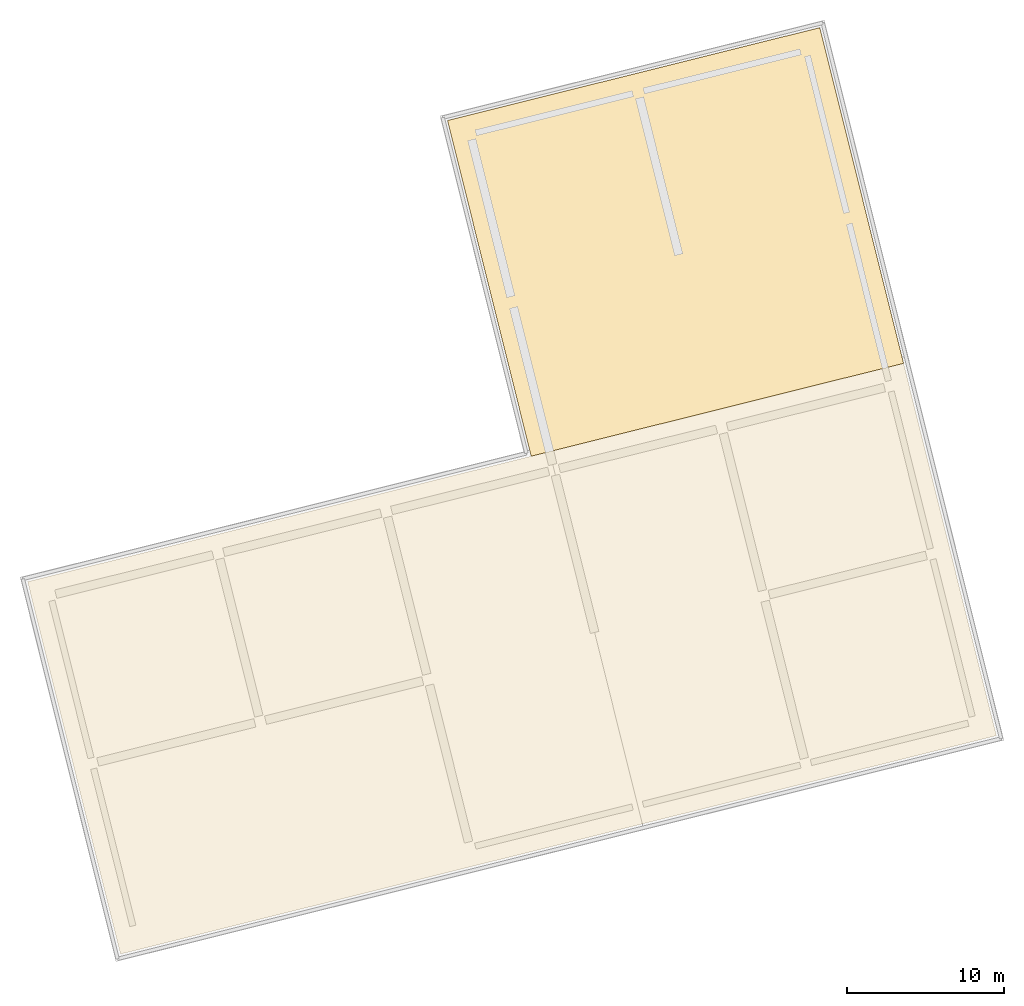
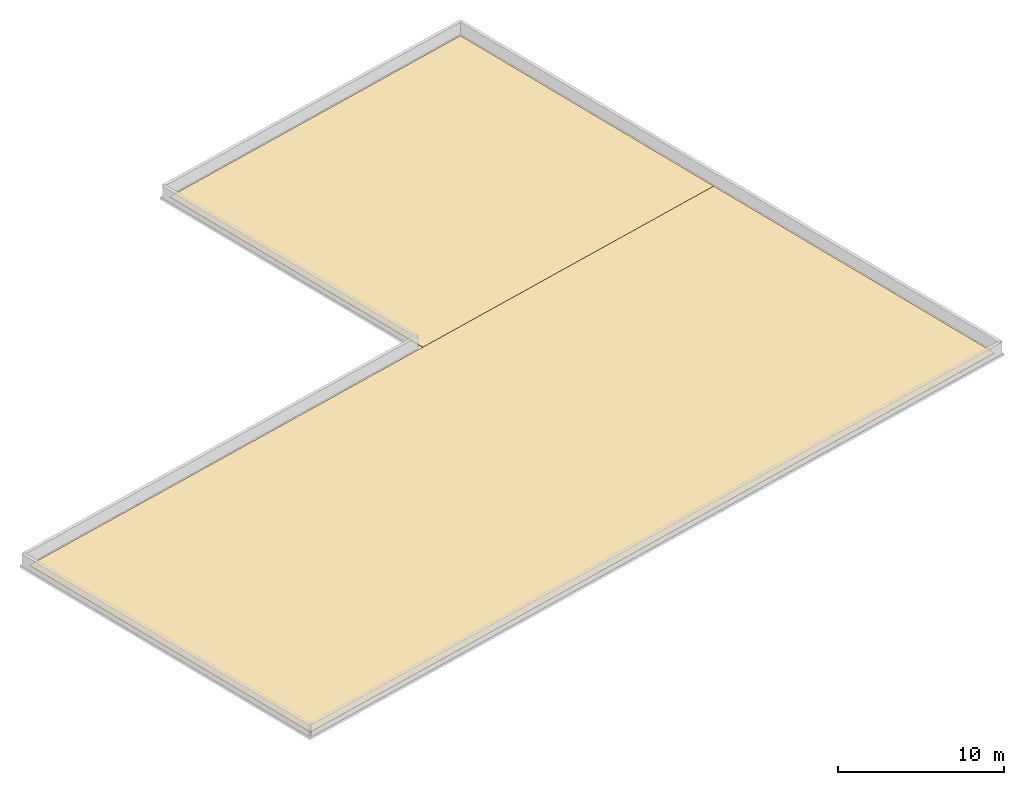
# One storey, part 2 of 2: 2 coverings.
"""IFC4 building model written with IfcOpenShell, lengths in metres."""

import ifcopenshell
import ifcopenshell.guid

model = None  # the IFC model being written
_history = None  # IfcOwnerHistory: only IFC2X3 demands one
_inside = {}  # id of a spatial element -> (the spatial element, [elements in it])
_under = {}  # id of a project, library or spatial element -> (it, [spatial elements below it])
_declared = {}  # id of a project -> (the project, [libraries it declares])
_typed = {}  # id of a type object -> (the type object, [elements of that type])
_made_of = {}  # id of a material, layer set ... -> (it, [elements and type objects made of it])


def new_model(schema):
    """Start an empty IFC model of exactly this schema.

    Asked for "IFC4X3", IfcOpenShell would pick the latest addendum, in which some entities
    have other attributes; the version numbers below select the first issue.
    IFC2X3 requires an IfcOwnerHistory on every rooted entity: one is made here for all.
    """
    global model, _history
    if schema == "IFC4X3":
        model = ifcopenshell.file(schema_version=(4, 3, 0, 0))
    else:
        model = ifcopenshell.file(schema=schema)
    _inside.clear()
    _under.clear()
    _declared.clear()
    _typed.clear()
    _made_of.clear()
    _history = None
    if model.schema == "IFC2X3":
        org = make("IfcOrganization", Name="unknown")
        user = make(
            "IfcPersonAndOrganization",
            ThePerson=make("IfcPerson", FamilyName="unknown"),
            TheOrganization=org,
        )
        app = make(
            "IfcApplication",
            ApplicationDeveloper=org,
            Version="unknown",
            ApplicationFullName="unknown",
            ApplicationIdentifier="unknown",
        )
        _history = make(
            "IfcOwnerHistory",
            OwningUser=user,
            OwningApplication=app,
            ChangeAction="ADDED",
            CreationDate=0,
        )
    return model


def make(cls, **values):
    """One entity of the class cls with the attributes given. An attribute that is None is left unset."""
    return model.create_entity(
        cls, **{name: value for name, value in values.items() if value is not None}
    )


def rooted(cls, **values):
    """An entity with a GlobalId (a new one), such as an element, a storey or a relation."""
    return make(cls, GlobalId=ifcopenshell.guid.new(), OwnerHistory=_history, **values)


def si_unit(unit_type, name, prefix=None):
    """IfcSIUnit, for example si_unit("LENGTHUNIT", "METRE", prefix="MILLI")."""
    return make("IfcSIUnit", UnitType=unit_type, Prefix=prefix, Name=name)


def assignment(units):
    """IfcUnitAssignment: the units of a project."""
    return None if units is None else make("IfcUnitAssignment", Units=units)


def point(xyz):
    """IfcCartesianPoint."""
    return None if xyz is None else make("IfcCartesianPoint", Coordinates=xyz)


def direction(xyz):
    """IfcDirection."""
    return None if xyz is None else make("IfcDirection", DirectionRatios=xyz)


def frame(location, z_axis=None, x_axis=None):
    """IfcAxis2Placement3D, a coordinate frame: its origin and axes. An axis left out is left unset."""
    return make(
        "IfcAxis2Placement3D",
        Location=point(location),
        Axis=direction(z_axis),
        RefDirection=direction(x_axis),
    )


def origin():
    """The frame at (0, 0, 0) with its axes left unset."""
    return frame((0.0, 0.0, 0.0))


def place(relative_to, where):
    """IfcLocalPlacement: puts the frame where relative to a parent placement (None: the world)."""
    return make(
        "IfcLocalPlacement", PlacementRelTo=relative_to, RelativePlacement=where
    )


def context(
    kind, dimensions, precision=None, world=None, true_north=None, identifier=None
):
    """IfcGeometricRepresentationContext, for example the 3D "Model" context."""
    return make(
        "IfcGeometricRepresentationContext",
        ContextIdentifier=identifier,
        ContextType=kind,
        CoordinateSpaceDimension=dimensions,
        Precision=precision,
        WorldCoordinateSystem=world,
        TrueNorth=true_north,
    )


def subcontext(parent, identifier, kind, view, scale=None):
    """IfcGeometricRepresentationSubContext, for example "Body" below "Model"."""
    return make(
        "IfcGeometricRepresentationSubContext",
        ContextIdentifier=identifier,
        ContextType=kind,
        ParentContext=parent,
        TargetScale=scale,
        TargetView=view,
    )


def project(units=None, contexts=None):
    """IfcProject with its units and contexts."""
    return rooted(
        "IfcProject",
        Name="project",
        RepresentationContexts=contexts,
        UnitsInContext=assignment(units),
    )


def spatial(cls, under=None, at=None, **own):
    """A site, building, storey or space (cls), placed at a placement, below another one or the project."""
    s = rooted(cls, ObjectPlacement=at, **own)
    if under is not None:
        _under.setdefault(under.id(), (under, []))[1].append(s)
    return s


def polyline(points):
    """IfcPolyline through the points."""
    return make("IfcPolyline", Points=[point(p) for p in points])


def outline(outer, holes=None, kind="AREA"):
    """IfcArbitraryClosedProfileDef: a profile drawn as a closed curve; with holes, ...WithVoids."""
    if holes is None:
        return make("IfcArbitraryClosedProfileDef", ProfileType=kind, OuterCurve=outer)
    return make(
        "IfcArbitraryProfileDefWithVoids",
        ProfileType=kind,
        OuterCurve=outer,
        InnerCurves=holes,
    )


def extrude(swept, where, along, depth):
    """IfcExtrudedAreaSolid: the profile swept, set in the frame where, extruded along a direction by depth."""
    return make(
        "IfcExtrudedAreaSolid",
        SweptArea=swept,
        Position=where,
        ExtrudedDirection=direction(along),
        Depth=depth,
    )


def shape(context_of_items, identifier, shape_type, items):
    """IfcShapeRepresentation: the items that make up one representation, for example the "Body"."""
    return make(
        "IfcShapeRepresentation",
        ContextOfItems=context_of_items,
        RepresentationIdentifier=identifier,
        RepresentationType=shape_type,
        Items=items,
    )


def material(Name=None, Category=None):
    """IfcMaterial."""
    return make("IfcMaterial", Name=Name, Category=Category)


def layer(
    of_material, thickness, ventilated=None, Name=None, Category=None, Priority=None
):
    """IfcMaterialLayer: one layer of a wall or slab, of a material (None: an air gap)."""
    return make(
        "IfcMaterialLayer",
        Material=of_material,
        LayerThickness=thickness,
        IsVentilated=ventilated,
        Name=Name,
        Category=Category,
        Priority=Priority,
    )


def layer_set(layers, Name=None):
    """IfcMaterialLayerSet."""
    return make("IfcMaterialLayerSet", MaterialLayers=layers, LayerSetName=Name)


def made_of(thing, what):
    """Note that an element or type object is made of a material, layer set ...; save() writes the relation."""
    if what is not None:
        _made_of.setdefault(what.id(), (what, []))[1].append(thing)
    return thing


def type_object(cls, material=None, **own):
    """A type object (cls), such as IfcWallType, which elements share."""
    return made_of(rooted(cls, **own), material)


def element(
    cls,
    number,
    at=None,
    inside=None,
    cuts=None,
    type_object=None,
    material=None,
    context=None,
    identifier="Body",
    shape_type=None,
    held_by="IfcProductDefinitionShape",
    body=None,
    shapes=None,
    **own,
):
    """One element of the class cls, such as IfcWall. Its Tag is "e" and its number.

    at: its placement. inside: the storey or other place that contains it. cuts: it is an
    opening in that element (IfcRelVoidsElement). A single representation is given by context,
    identifier, shape_type and body (its items); several are given by shapes. held_by: the class
    of the entity that holds the representations. save() writes the other relations.
    """
    e = rooted(cls, Tag="e%d" % number, ObjectPlacement=at, **own)
    if body is not None:
        shapes = [shape(context, identifier, shape_type, body)]
    if shapes is not None:
        e.Representation = make(held_by, Representations=shapes)
    if inside is not None:
        _inside.setdefault(inside.id(), (inside, []))[1].append(e)
    if cuts is not None:
        rooted(
            "IfcRelVoidsElement", RelatingBuildingElement=cuts, RelatedOpeningElement=e
        )
    if type_object is not None:
        _typed.setdefault(type_object.id(), (type_object, []))[1].append(e)
    return made_of(e, material)


def aggregate(whole, parts):
    """IfcRelAggregates: a whole, such as a stair, and the parts it consists of."""
    return rooted("IfcRelAggregates", RelatingObject=whole, RelatedObjects=parts)


def save(model, path):
    """Write the relations noted so far, then the file.

    IfcRelAggregates (storeys below a building ...), IfcRelContainedInSpatialStructure (elements
    in a storey), IfcRelDefinesByType, IfcRelAssociatesMaterial and IfcRelDeclares: one each for
    every whole, place, type object, material and project.
    """
    for whole, parts in _under.values():
        aggregate(whole, parts)
    for where, things in _inside.values():
        rooted(
            "IfcRelContainedInSpatialStructure",
            RelatedElements=things,
            RelatingStructure=where,
        )
    for kind, things in _typed.values():
        rooted("IfcRelDefinesByType", RelatedObjects=things, RelatingType=kind)
    for what, things in _made_of.values():
        rooted("IfcRelAssociatesMaterial", RelatedObjects=things, RelatingMaterial=what)
    for by, libraries in _declared.values():
        rooted("IfcRelDeclares", RelatingContext=by, RelatedDefinitions=libraries)
    model.write(path)


model = new_model("IFC4")

# Units and contexts
model_context = context("Model", 3, precision=1e-05, world=origin(), true_north=direction((0.0, 1.0)))
body_context = subcontext(model_context, "Body", "Model", "MODEL_VIEW")
ifc_project = project(units=[si_unit("LENGTHUNIT", "METRE"), si_unit("AREAUNIT", "SQUARE_METRE"), si_unit("VOLUMEUNIT", "CUBIC_METRE"), si_unit("PLANEANGLEUNIT", "RADIAN"), si_unit("MASSUNIT", "GRAM", prefix="KILO")], contexts=[model_context])

# Site, building, storey
site_placement = place(None, origin())
site = spatial("IfcSite", under=ifc_project, at=site_placement, CompositionType="ELEMENT")
building_placement = place(site_placement, origin())
building = spatial("IfcBuilding", under=site, at=building_placement, Name="Khorjan Park Terminus", CompositionType="ELEMENT")
storey_placement = place(building_placement, frame((0.0, 0.0, 28.8)))
storey = spatial("IfcBuildingStorey", under=building, at=storey_placement, Name="RF", CompositionType="ELEMENT", Elevation=28.8)

# Coverings
ifc_material = material(Name="TPO Cool-Roof Membrane")
ifc_layer = layer(ifc_material, 0.04)
ifc_layer_set = layer_set([ifc_layer], Name="TPO Cool-Roof Membrane")
covering_type = type_object("IfcCoveringType", Name="CV-RF-MEM", PredefinedType="ROOFING", material=ifc_layer_set)
covering_1_placement = place(storey_placement, frame((0.0, 0.0, 0.16)))
element("IfcCovering", 1, at=covering_1_placement, inside=storey, type_object=covering_type, Name="Operations crown cool-roof membrane RF-MB1 (1)", PredefinedType="ROOFING", context=body_context, shape_type="SweptSolid", body=[
    extrude(outline(polyline([(175.7992, 3.2065), (231.4942, 17.0928), (225.5913, 40.768), (169.8963, 26.8817), (175.7992, 3.2065)])), origin(), (0.0, 0.0, 1.0), 0.04),
])
covering_2_placement = place(storey_placement, frame((0.0, 0.0, 0.16)))
element("IfcCovering", 2, at=covering_2_placement, inside=storey, type_object=covering_type, Name="Operations crown cool-roof membrane RF-MB1 (2)", PredefinedType="ROOFING", context=body_context, shape_type="SweptSolid", body=[
    extrude(outline(polyline([(201.9161, 34.8651), (225.5913, 40.768), (220.269, 62.1145), (196.5938, 56.2116), (201.9161, 34.8651)])), origin(), (0.0, 0.0, 1.0), 0.04),
])

save(model, "model.ifc")
